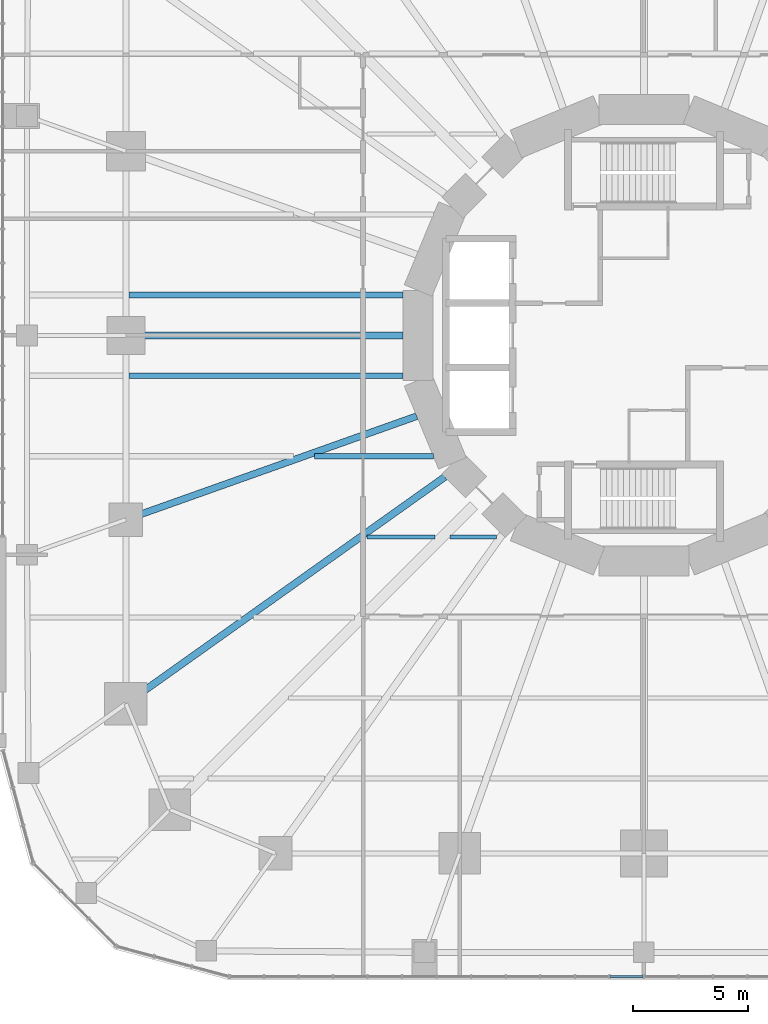
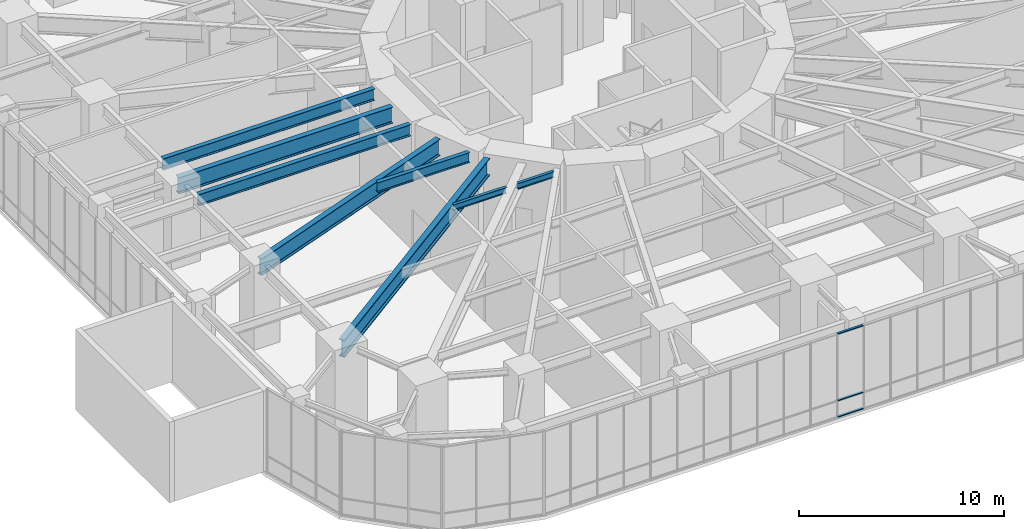
# One storey, part 5 of 24: 8 beams, 3 members, 1 element without a shape of its own.
"""IFC4 building model written with IfcOpenShell, lengths in metres."""

from ifc_helpers import new_model, si_unit, direction, frame, origin, origin_2d, place, context, subcontext, project, spatial, rectangle, i_section, extrude, material, material_profile, profile_set, type_object, element, aggregate, save


model = new_model("IFC4")

# Units and contexts
model_context = context("Model", 3, precision=1e-05, world=origin(), true_north=direction((0.0, 1.0)))
body_context = subcontext(model_context, "Body", "Model", "MODEL_VIEW")
ifc_project = project(units=[si_unit("LENGTHUNIT", "METRE"), si_unit("AREAUNIT", "SQUARE_METRE"), si_unit("VOLUMEUNIT", "CUBIC_METRE"), si_unit("PLANEANGLEUNIT", "RADIAN"), si_unit("MASSUNIT", "GRAM", prefix="KILO")], contexts=[model_context])

# Site, building, storey
site_placement = place(None, origin())
site = spatial("IfcSite", under=ifc_project, at=site_placement, CompositionType="ELEMENT")
building_placement = place(site_placement, origin())
building = spatial("IfcBuilding", under=site, at=building_placement, Name="Nakasero Lantern House", CompositionType="ELEMENT")
storey_placement = place(building_placement, frame((0.0, 0.0, 11.0)))
storey = spatial("IfcBuildingStorey", under=building, at=storey_placement, Name="L02", CompositionType="ELEMENT", Elevation=11.0)

# Beams
ifc_material_1 = material(Name="Steel S355", Category="steel")
ifc_material_profile_1 = material_profile(ifc_material_1, i_section(OverallWidth=0.17138671875, OverallDepth=0.35498046875, WebThickness=0.00732421875, FlangeThickness=0.011474609375, FilletRadius=0.01025390625, at=origin_2d()), Name="UB 356x171x51")
ifc_profile_set_1 = profile_set([ifc_material_profile_1], Name="Steel S355")
beam_type_1 = type_object("IfcBeamType", Name="Infill beam UB 356x171x51", PredefinedType="JOIST", material=ifc_profile_set_1)
beam_1_placement = place(storey_placement, frame((-12.03857421875, -8.75, 4.62255859375), z_axis=(1.0, 0.0, 0.0), x_axis=(0.0, 1.0, 0.0)))
element("IfcBeam", 1, at=beam_1_placement, inside=storey, type_object=beam_type_1, Name="Infill beam L03 06.1", PredefinedType="JOIST", context=body_context, shape_type="SweptSolid", body=[
    extrude(i_section(OverallWidth=0.17138671875, OverallDepth=0.35498046875, WebThickness=0.00732421875, FlangeThickness=0.011474609375, FilletRadius=0.01025390625, at=origin_2d()), origin(), (0.0, 0.0, 1.0), 2.970458984375),
])
beam_2_placement = place(storey_placement, frame((-8.431884765625, -8.75, 4.62255859375), z_axis=(1.0, 0.0, 0.0), x_axis=(0.0, 1.0, 0.0)))
element("IfcBeam", 2, at=beam_2_placement, inside=storey, type_object=beam_type_1, Name="Infill beam L03 06.2", PredefinedType="JOIST", context=body_context, shape_type="SweptSolid", body=[
    extrude(i_section(OverallWidth=0.17138671875, OverallDepth=0.35498046875, WebThickness=0.00732421875, FlangeThickness=0.011474609375, FilletRadius=0.01025390625, at=origin_2d()), origin(), (0.0, 0.0, 1.0), 2.0205078125),
])
ifc_material_2 = material(Name="Steel S355", Category="steel")
ifc_material_profile_2 = material_profile(ifc_material_2, i_section(OverallWidth=0.2275390625, OverallDepth=0.6025390625, WebThickness=0.010498046875, FlangeThickness=0.014892578125, FilletRadius=0.0126953125, at=origin_2d()), Name="UB 610x229x101")
ifc_profile_set_2 = profile_set([ifc_material_profile_2], Name="Steel S355")
beam_type_2 = type_object("IfcBeamType", Name="Infill beam UB 610x229x101", PredefinedType="JOIST", material=ifc_profile_set_2)
beam_3_placement = place(storey_placement, frame((-14.31787109375, -5.25, 4.498779296875), z_axis=(1.0, 0.0, 0.0), x_axis=(0.0, 1.0, 0.0)))
element("IfcBeam", 3, at=beam_3_placement, inside=storey, type_object=beam_type_2, Name="Infill beam L03 07.3", PredefinedType="JOIST", context=body_context, shape_type="SweptSolid", body=[
    extrude(i_section(OverallWidth=0.2275390625, OverallDepth=0.6025390625, WebThickness=0.010498046875, FlangeThickness=0.014892578125, FilletRadius=0.0126953125, at=origin_2d()), origin(), (0.0, 0.0, 1.0), 5.173095703125),
])
ifc_material_3 = material(Name="Steel S355", Category="steel")
ifc_material_profile_3 = material_profile(ifc_material_3, i_section(OverallWidth=0.253662109375, OverallDepth=0.68359375, WebThickness=0.012451171875, FlangeThickness=0.01904296875, FilletRadius=0.01513671875, at=origin_2d()), Name="UB 686x254x140")
ifc_profile_set_3 = profile_set([ifc_material_profile_3], Name="Steel S355")
beam_type_3 = type_object("IfcBeamType", Name="Infill beam UB 686x254x140", PredefinedType="JOIST", material=ifc_profile_set_3)
for number, where, z_axis, x_axis, name in (
    (4, (-22.3720703125, -1.75, 4.458251953125), (1.0, 0.0, 0.0), (0.0, 1.0, 0.0), "Infill beam L03 08.2"),
    (5, (-22.3720703125, 1.75, 4.458251953125), (1.0, 0.0, 0.0), (0.0, 1.0, 0.0), "Infill beam L03 09.2"),
):
    element("IfcBeam", number, at=place(storey_placement, frame(where, z_axis=z_axis, x_axis=x_axis)), inside=storey, type_object=beam_type_3, Name=name, PredefinedType="JOIST", context=body_context, shape_type="SweptSolid", body=[
        extrude(i_section(OverallWidth=0.253662109375, OverallDepth=0.68359375, WebThickness=0.012451171875, FlangeThickness=0.01904296875, FilletRadius=0.01513671875, at=origin_2d()), origin(), (0.0, 0.0, 1.0), 11.914306640625),
    ])
ifc_material_4 = material(Name="Steel S355", Category="steel")
ifc_material_profile_4 = material_profile(ifc_material_4, i_section(OverallWidth=0.300048828125, OverallDepth=0.97021484375, WebThickness=0.01611328125, FlangeThickness=0.02099609375, FilletRadius=0.030029296875, at=origin_2d()), Name="UB 1016x305x222")
ifc_profile_set_4 = profile_set([ifc_material_profile_4], Name="Steel S355")
beam_type_4 = type_object("IfcBeamType", Name="Primary beam UB 1016x305x222, span 12 to 15 m", PredefinedType="BEAM", material=ifc_profile_set_4)
beam_4_placement = place(storey_placement, frame((-22.5, 0.0, 4.31494140625), z_axis=(1.0, 0.0, 0.0), x_axis=(0.0, 1.0, 0.0)))
element("IfcBeam", 6, at=beam_4_placement, inside=storey, type_object=beam_type_4, Name="Primary beam L03 B1-C15", PredefinedType="BEAM", context=body_context, shape_type="SweptSolid", body=[
    extrude(i_section(OverallWidth=0.300048828125, OverallDepth=0.97021484375, WebThickness=0.01611328125, FlangeThickness=0.02099609375, FilletRadius=0.030029296875, at=origin_2d()), origin(), (0.0, 0.0, 1.0), 12.042236328125),
])
ifc_material_5 = material(Name="Steel S355", Category="steel")
ifc_material_profile_5 = material_profile(ifc_material_5, i_section(OverallWidth=0.300048828125, OverallDepth=0.989990234375, WebThickness=0.0166015625, FlangeThickness=0.031005859375, FilletRadius=0.030029296875, at=origin_2d()), Name="UB 1016x305x272")
ifc_profile_set_5 = profile_set([ifc_material_profile_5], Name="Steel S355")
beam_type_5 = type_object("IfcBeamType", Name="Primary beam UB 1016x305x272, span 12 to 15 m", PredefinedType="BEAM", material=ifc_profile_set_5)
beam_5_placement = place(storey_placement, frame((-22.5, -8.0, 4.304931640625), z_axis=(0.942214307118, 0.335010745293, 0.0), x_axis=(-0.335010745293, 0.942214307118, 0.0)))
element("IfcBeam", 7, at=beam_5_placement, inside=storey, type_object=beam_type_5, Name="Primary beam L03 B1-C16", PredefinedType="BEAM", context=body_context, shape_type="SweptSolid", body=[
    extrude(i_section(OverallWidth=0.300048828125, OverallDepth=0.989990234375, WebThickness=0.0166015625, FlangeThickness=0.031005859375, FilletRadius=0.030029296875, at=origin_2d()), origin(), (0.0, 0.0, 1.0), 13.408447265625),
])
ifc_material_6 = material(Name="Steel S355", Category="steel")
ifc_material_profile_6 = material_profile(ifc_material_6, i_section(OverallWidth=0.30859375, OverallDepth=1.036376953125, WebThickness=0.030029296875, FlangeThickness=0.05419921875, FilletRadius=0.030029296875, at=origin_2d()), Name="UB 1016x305x487")
ifc_profile_set_6 = profile_set([ifc_material_profile_6], Name="Steel S355")
beam_type_6 = type_object("IfcBeamType", Name="Primary beam UB 1016x305x487, span over 15 m", PredefinedType="BEAM", material=ifc_profile_set_6)
beam_6_placement = place(storey_placement, frame((-22.5, -16.0, 4.28173828125), z_axis=(0.814952159915, 0.579528236629, 0.0), x_axis=(-0.579528236629, 0.814952159915, 0.0)))
element("IfcBeam", 8, at=beam_6_placement, inside=storey, type_object=beam_type_6, Name="Primary beam L03 B1-C17", PredefinedType="BEAM", context=body_context, shape_type="SweptSolid", body=[
    extrude(i_section(OverallWidth=0.30859375, OverallDepth=1.036376953125, WebThickness=0.030029296875, FlangeThickness=0.05419921875, FilletRadius=0.030029296875, at=origin_2d()), origin(), (0.0, 0.0, 1.0), 17.003173828125),
])

# Curtain wall, members
ifc_material_7 = material(Name="Aluminium 6063-T6 and glass", Category="aluminium")
curtain_wall_type = type_object("IfcCurtainWallType", Name="Podium curtain wall CW-2", PredefinedType="USERDEFINED", material=ifc_material_7)
curtain_wall_placement = place(storey_placement, origin())
curtain_wall = element("IfcCurtainWall", 9, at=curtain_wall_placement, inside=storey, type_object=curtain_wall_type, Name="Curtain wall CW-2 L02", ObjectType="STICK CURTAIN WALL", PredefinedType="USERDEFINED")
ifc_material_8 = material(Name="Aluminium 6063-T6", Category="aluminium")
ifc_material_profile_7 = material_profile(ifc_material_8, rectangle(XDim=0.06005859375, YDim=0.1201171875, at=origin_2d()), Name="CW-2 transom 60x120")
ifc_profile_set_7 = profile_set([ifc_material_profile_7], Name="Aluminium 6063-T6")
member_type = type_object("IfcMemberType", Name="Transom CW-2", PredefinedType="USERDEFINED", material=ifc_profile_set_7)
member_1_placement = place(storey_placement, frame((-1.469970703125, -27.85009765625, 0.030029296875), z_axis=(1.0, 0.0, 0.0), x_axis=(0.0, 0.0, 1.0)))
member_1 = element("IfcMember", 10, at=member_1_placement, type_object=member_type, Name="CW-2 transom 12.1", ObjectType="TRANSOM", PredefinedType="USERDEFINED", context=body_context, shape_type="SweptSolid", body=[
    extrude(rectangle(XDim=0.06005859375, YDim=0.1201171875, at=origin_2d()), origin(), (0.0, 0.0, 1.0), 1.43994140625),
])
member_2_placement = place(storey_placement, frame((-1.469970703125, -27.85009765625, 1.0), z_axis=(1.0, 0.0, 0.0), x_axis=(0.0, 0.0, 1.0)))
member_2 = element("IfcMember", 11, at=member_2_placement, type_object=member_type, Name="CW-2 transom 12.2", ObjectType="TRANSOM", PredefinedType="USERDEFINED", context=body_context, shape_type="SweptSolid", body=[
    extrude(rectangle(XDim=0.06005859375, YDim=0.1201171875, at=origin_2d()), origin(), (0.0, 0.0, 1.0), 1.43994140625),
])
member_3_placement = place(storey_placement, frame((-1.469970703125, -27.85009765625, 4.969970703125), z_axis=(1.0, 0.0, 0.0), x_axis=(0.0, 0.0, 1.0)))
member_3 = element("IfcMember", 12, at=member_3_placement, type_object=member_type, Name="CW-2 transom 12.3", ObjectType="TRANSOM", PredefinedType="USERDEFINED", context=body_context, shape_type="SweptSolid", body=[
    extrude(rectangle(XDim=0.06005859375, YDim=0.1201171875, at=origin_2d()), origin(), (0.0, 0.0, 1.0), 1.43994140625),
])
aggregate(curtain_wall, [member_1, member_2, member_3])

save(model, "model.ifc")
